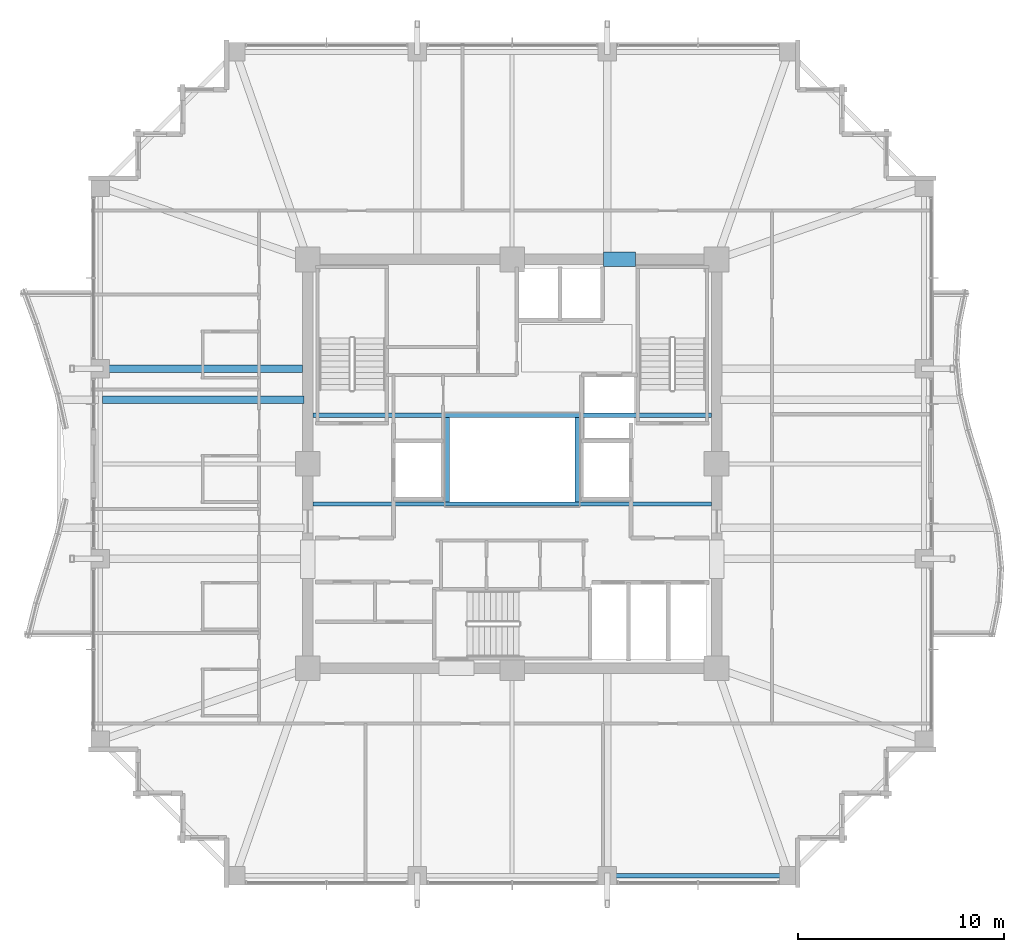
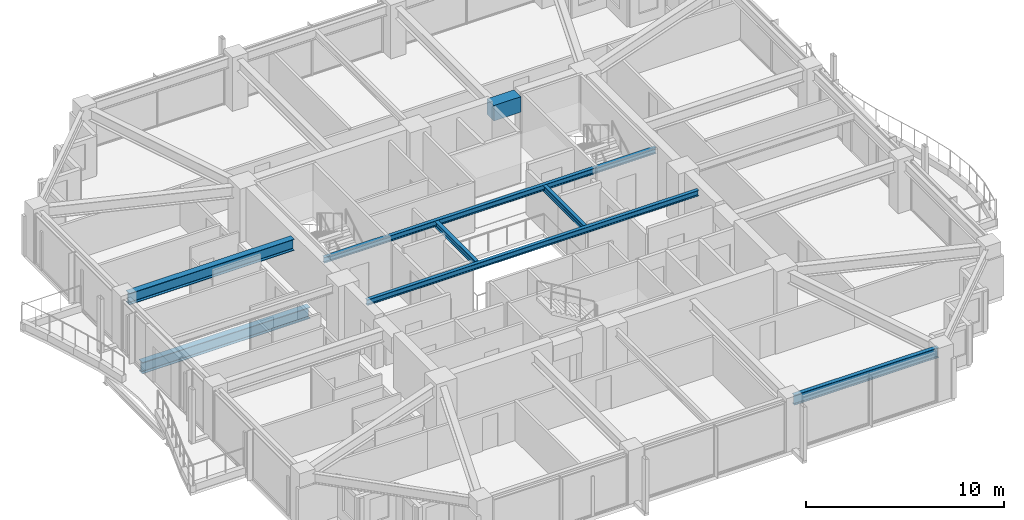
# One storey, part 9 of 35: 8 beams.
"""IFC4 building model written with IfcOpenShell, lengths in metres."""

from ifc_helpers import new_model, si_unit, direction, frame, origin, origin_2d, place, context, subcontext, project, spatial, rectangle, i_section, extrude, material, material_profile, profile_set, type_object, element, save


model = new_model("IFC4")

# Units and contexts
model_context = context("Model", 3, precision=1e-05, world=origin(), true_north=direction((0.0, 1.0)))
body_context = subcontext(model_context, "Body", "Model", "MODEL_VIEW")
ifc_project = project(units=[si_unit("LENGTHUNIT", "METRE"), si_unit("AREAUNIT", "SQUARE_METRE"), si_unit("VOLUMEUNIT", "CUBIC_METRE"), si_unit("PLANEANGLEUNIT", "RADIAN"), si_unit("MASSUNIT", "GRAM", prefix="KILO")], contexts=[model_context])

# Site, building, storey
site_placement = place(None, origin())
site = spatial("IfcSite", under=ifc_project, at=site_placement, CompositionType="ELEMENT")
building_placement = place(site_placement, origin())
building = spatial("IfcBuilding", under=site, at=building_placement, Name="Kolvaren Belvedere", CompositionType="ELEMENT")
storey_placement = place(building_placement, frame((0.0, 0.0, 183.300048828125)))
storey = spatial("IfcBuildingStorey", under=building, at=storey_placement, Name="L53", CompositionType="ELEMENT", Elevation=183.300048828125)

# Beams
ifc_material_1 = material(Name="Structural steel ASTM A992 Grade 50", Category="steel")
ifc_material_profile_1 = material_profile(ifc_material_1, i_section(OverallWidth=0.2041015625, OverallDepth=0.35009765625, WebThickness=0.008544921875, FlangeThickness=0.01513671875, FilletRadius=0.013916015625, at=origin_2d()), Name="W14X48")
ifc_profile_set_1 = profile_set([ifc_material_profile_1], Name="Structural steel ASTM A992 Grade 50")
beam_type_1 = type_object("IfcBeamType", Name="BM-ATRIUM-W14X48", PredefinedType="BEAM", material=ifc_profile_set_1)
for number, where, z_axis, x_axis, name in (
    (1, (-9.64990234375, -1.949951171875, 2.905029296875), (1.0, 0.0, 0.0), (0.0, 1.0, 0.0), "L53 Central Atrium South Girder AS"),
    (2, (-9.64990234375, 2.35009765625, 2.905029296875), (1.0, 0.0, 0.0), (0.0, 1.0, 0.0), "L53 Central Atrium North Girder AN"),
):
    element("IfcBeam", number, at=place(storey_placement, frame(where, z_axis=z_axis, x_axis=x_axis)), inside=storey, type_object=beam_type_1, Name=name, PredefinedType="BEAM", context=body_context, shape_type="SweptSolid", body=[
        extrude(i_section(OverallWidth=0.2041015625, OverallDepth=0.35009765625, WebThickness=0.008544921875, FlangeThickness=0.01513671875, FilletRadius=0.013916015625, at=origin_2d()), origin(), (0.0, 0.0, 1.0), 19.2998046875),
    ])
for number, where, z_axis, x_axis, name in (
    (3, (-3.14990234375, -1.840087890625, 2.905029296875), (0.0, 1.0, 0.0), (-1.0, 0.0, 0.0), "L53 Central Atrium West Edge Beam AW"),
    (4, (3.14990234375, -1.840087890625, 2.905029296875), (0.0, 1.0, 0.0), (-1.0, 0.0, 0.0), "L53 Central Atrium East Edge Beam AE"),
):
    element("IfcBeam", number, at=place(storey_placement, frame(where, z_axis=z_axis, x_axis=x_axis)), inside=storey, type_object=beam_type_1, Name=name, PredefinedType="BEAM", context=body_context, shape_type="SweptSolid", body=[
        extrude(i_section(OverallWidth=0.2041015625, OverallDepth=0.35009765625, WebThickness=0.008544921875, FlangeThickness=0.01513671875, FilletRadius=0.013916015625, at=origin_2d()), origin(), (0.0, 0.0, 1.0), 4.080078125),
    ])
ifc_material_2 = material(Name="Structural steel ASTM A992 Grade 50", Category="steel")
ifc_material_profile_2 = material_profile(ifc_material_2, i_section(OverallWidth=0.35498046875, OverallDepth=0.696044921875, WebThickness=0.015380859375, FlangeThickness=0.02490234375, FilletRadius=0.02197265625, at=origin_2d()), Name="W27X146")
ifc_profile_set_2 = profile_set([ifc_material_profile_2], Name="Structural steel ASTM A992 Grade 50")
beam_type_2 = type_object("IfcBeamType", Name="BM-GIRD-W27X146", PredefinedType="BEAM", material=ifc_profile_set_2)
beam_1_placement = place(storey_placement, frame((-10.090087890625, 3.10009765625, -0.568115234375), z_axis=(-1.0, 0.0, 0.0), x_axis=(0.0, -1.0, 0.0)))
element("IfcBeam", 5, at=beam_1_placement, inside=storey, type_object=beam_type_2, Name="L53 Balcony Interior Back-Span Girder BAL-W-2", PredefinedType="BEAM", context=body_context, shape_type="SweptSolid", body=[
    extrude(i_section(OverallWidth=0.35498046875, OverallDepth=0.696044921875, WebThickness=0.015380859375, FlangeThickness=0.02490234375, FilletRadius=0.02197265625, at=origin_2d()), origin(), (0.0, 0.0, 1.0), 9.764892578125),
])
beam_2_placement = place(storey_placement, frame((-10.14990234375, 4.60009765625, 2.73193359375), z_axis=(-1.0, 0.0, 0.0), x_axis=(0.0, -1.0, 0.0)))
element("IfcBeam", 6, at=beam_2_placement, inside=storey, type_object=beam_type_2, Name="L53 West Radial Girder P", PredefinedType="BEAM", context=body_context, shape_type="SweptSolid", body=[
    extrude(i_section(OverallWidth=0.35498046875, OverallDepth=0.696044921875, WebThickness=0.015380859375, FlangeThickness=0.02490234375, FilletRadius=0.02197265625, at=origin_2d()), origin(), (0.0, 0.0, 1.0), 9.59765625),
])
ifc_material_3 = material(Name="Concrete C60/75", Category="concrete")
ifc_material_profile_3 = material_profile(ifc_material_3, rectangle(XDim=0.699951171875, YDim=0.949951171875, at=origin_2d()), Name="RC 700X950")
ifc_profile_set_3 = profile_set([ifc_material_profile_3], Name="Concrete C60/75")
beam_type_3 = type_object("IfcBeamType", Name="BM-LINT-950", PredefinedType="LINTEL", material=ifc_profile_set_3)
beam_3_placement = place(storey_placement, frame((4.419921875, 9.89990234375, 2.60498046875), z_axis=(1.0, 0.0, 0.0), x_axis=(0.0, 1.0, 0.0)))
element("IfcBeam", 7, at=beam_3_placement, inside=storey, type_object=beam_type_3, Name="L53 North Core Coupling Lintel", PredefinedType="LINTEL", context=body_context, shape_type="SweptSolid", body=[
    extrude(rectangle(XDim=0.699951171875, YDim=0.949951171875, at=origin_2d()), origin(), (0.0, 0.0, 1.0), 1.56005859375),
])
ifc_material_4 = material(Name="Structural steel ASTM A992 Grade 50", Category="steel")
ifc_material_profile_4 = material_profile(ifc_material_4, i_section(OverallWidth=0.22900390625, OverallDepth=0.612060546875, WebThickness=0.011962890625, FlangeThickness=0.01953125, FilletRadius=0.01806640625, at=origin_2d()), Name="W24X84")
ifc_profile_set_4 = profile_set([ifc_material_profile_4], Name="Structural steel ASTM A992 Grade 50")
beam_type_4 = type_object("IfcBeamType", Name="BM-SPAN-W24X84", PredefinedType="SPANDREL", material=ifc_profile_set_4)
beam_4_placement = place(storey_placement, frame((4.802490234375, -19.949951171875, 2.77392578125), z_axis=(1.0, 0.0, 0.0), x_axis=(0.0, 1.0, 0.0)))
element("IfcBeam", 8, at=beam_4_placement, inside=storey, type_object=beam_type_4, Name="L53 Perimeter Spandrel S3-S4", PredefinedType="SPANDREL", context=body_context, shape_type="SweptSolid", body=[
    extrude(i_section(OverallWidth=0.22900390625, OverallDepth=0.612060546875, WebThickness=0.011962890625, FlangeThickness=0.01953125, FilletRadius=0.01806640625, at=origin_2d()), origin(), (0.0, 0.0, 1.0), 8.39501953125),
])

save(model, "model.ifc")
